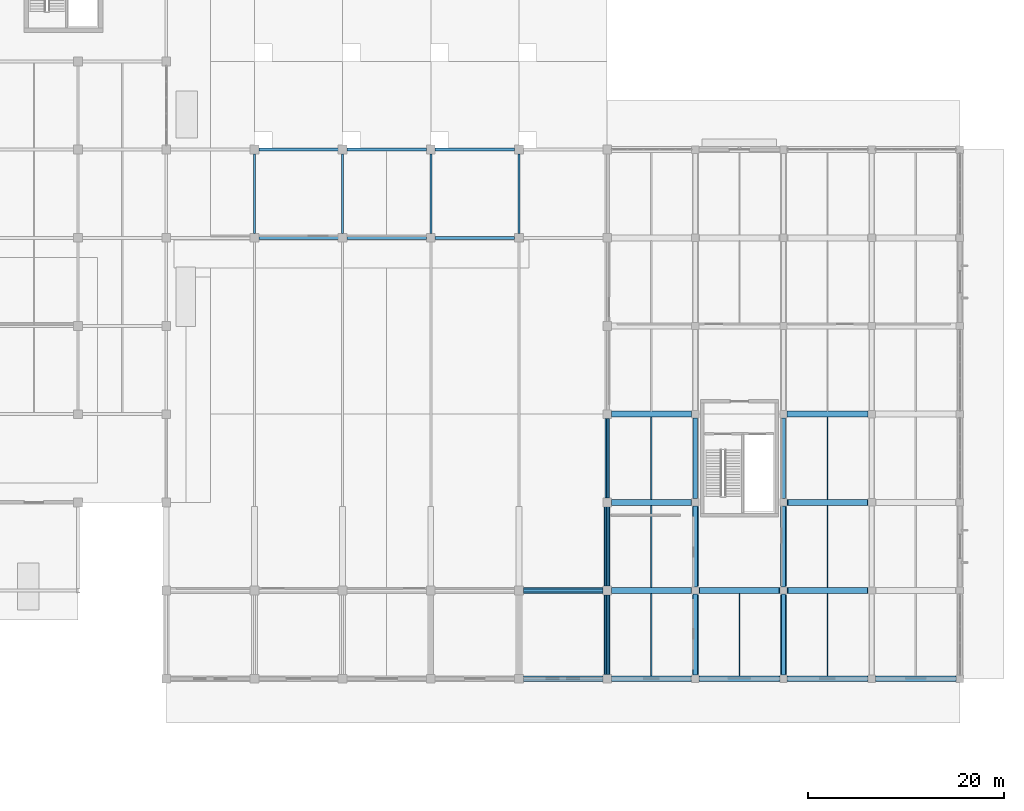
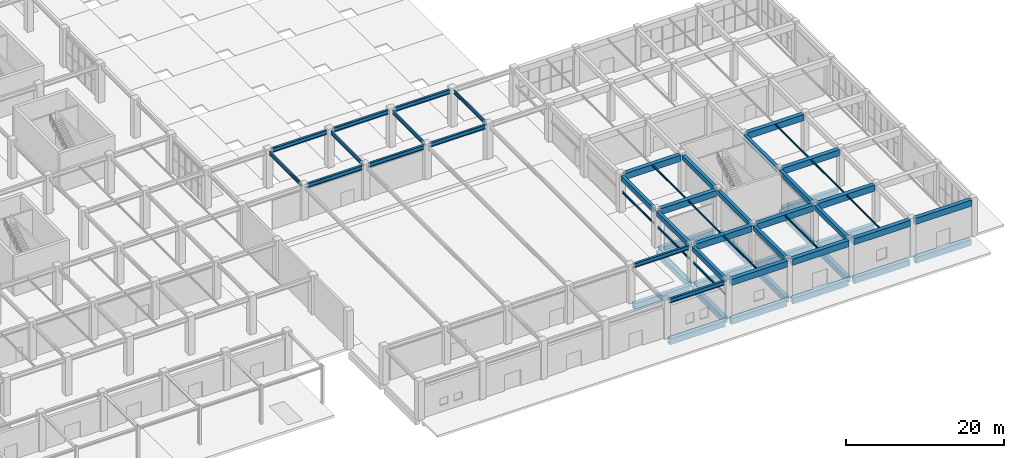
# One storey, part 11 of 91: 59 beams.
"""IFC4 building model written with IfcOpenShell, lengths in metres."""

from ifc_helpers import new_model, si_unit, direction, frame, origin, origin_2d, place, context, subcontext, project, spatial, rectangle, i_section, extrude, material, material_profile, profile_set, type_object, element, save


model = new_model("IFC4")

# Units and contexts
model_context = context("Model", 3, precision=1e-05, world=origin(), true_north=direction((0.0, 1.0)))
body_context = subcontext(model_context, "Body", "Model", "MODEL_VIEW")
ifc_project = project(units=[si_unit("LENGTHUNIT", "METRE"), si_unit("AREAUNIT", "SQUARE_METRE"), si_unit("VOLUMEUNIT", "CUBIC_METRE"), si_unit("PLANEANGLEUNIT", "RADIAN"), si_unit("MASSUNIT", "GRAM", prefix="KILO")], contexts=[model_context])

# Site, building, storey
site_placement = place(None, origin())
site = spatial("IfcSite", under=ifc_project, at=site_placement, CompositionType="ELEMENT")
building_placement = place(site_placement, origin())
building = spatial("IfcBuilding", under=site, at=building_placement, Name="Dornveld Trade and Exhibition Forum", CompositionType="ELEMENT")
storey_placement = place(building_placement, origin())
storey = spatial("IfcBuildingStorey", under=building, at=storey_placement, Name="L00", CompositionType="ELEMENT", Elevation=0.0)

# Beams
ifc_material_1 = material(Name="Concrete C40/50", Category="concrete")
ifc_material_profile_1 = material_profile(ifc_material_1, rectangle(XDim=0.60009765625, YDim=0.89990234375, at=origin_2d()), Name="RC-GB 600x900")
ifc_profile_set_1 = profile_set([ifc_material_profile_1], Name="Concrete C40/50")
beam_type_1 = type_object("IfcBeamType", Name="BM-GB-600x900", PredefinedType="BEAM", material=ifc_profile_set_1)
for number, where, z_axis, x_axis, name in (
    (1, (189.446044921875, 0.0, -0.830078125), (1.0, 0.0, 0.0), (0.0, 1.0, 0.0), "L00 X-girder 571"),
    (2, (198.446044921875, 0.0, -0.830078125), (1.0, 0.0, 0.0), (0.0, 1.0, 0.0), "L00 X-girder 572"),
    (3, (207.446044921875, 0.0, -0.830078125), (1.0, 0.0, 0.0), (0.0, 1.0, 0.0), "L00 X-girder 573"),
    (4, (216.446044921875, 0.0, -0.830078125), (1.0, 0.0, 0.0), (0.0, 1.0, 0.0), "L00 X-girder 574"),
    (5, (225.446044921875, 0.0, -0.830078125), (1.0, 0.0, 0.0), (0.0, 1.0, 0.0), "L00 X-girder 575"),
    (6, (189.446044921875, 9.0, -0.830078125), (1.0, 0.0, 0.0), (0.0, 1.0, 0.0), "L00 X-girder 580"),
    (7, (198.446044921875, 9.0, -0.830078125), (1.0, 0.0, 0.0), (0.0, 1.0, 0.0), "L00 X-girder 581"),
    (8, (207.446044921875, 9.0, -0.830078125), (1.0, 0.0, 0.0), (0.0, 1.0, 0.0), "L00 X-girder 582"),
    (9, (216.446044921875, 9.0, -0.830078125), (1.0, 0.0, 0.0), (0.0, 1.0, 0.0), "L00 X-girder 583"),
    (10, (198.446044921875, 18.0, -0.830078125), (1.0, 0.0, 0.0), (0.0, 1.0, 0.0), "L00 X-girder 590"),
    (11, (216.446044921875, 18.0, -0.830078125), (1.0, 0.0, 0.0), (0.0, 1.0, 0.0), "L00 X-girder 591"),
    (12, (198.0, 0.446044921875, -0.830078125), (0.0, 1.0, 0.0), (-1.0, 0.0, 0.0), "L00 Y-girder 631"),
    (13, (198.0, 9.446044921875, -0.830078125), (0.0, 1.0, 0.0), (-1.0, 0.0, 0.0), "L00 Y-girder 632"),
    (14, (207.0, 0.446044921875, -0.830078125), (0.0, 1.0, 0.0), (-1.0, 0.0, 0.0), "L00 Y-girder 635"),
    (15, (207.0, 9.446044921875, -0.830078125), (0.0, 1.0, 0.0), (-1.0, 0.0, 0.0), "L00 Y-girder 636"),
    (16, (216.0, 0.446044921875, -0.830078125), (0.0, 1.0, 0.0), (-1.0, 0.0, 0.0), "L00 Y-girder 639"),
    (17, (216.0, 9.446044921875, -0.830078125), (0.0, 1.0, 0.0), (-1.0, 0.0, 0.0), "L00 Y-girder 640"),
):
    element("IfcBeam", number, at=place(storey_placement, frame(where, z_axis=z_axis, x_axis=x_axis)), inside=storey, type_object=beam_type_1, Name=name, PredefinedType="BEAM", context=body_context, shape_type="SweptSolid", body=[
        extrude(rectangle(XDim=0.60009765625, YDim=0.89990234375, at=origin_2d()), origin(), (0.0, 0.0, 1.0), 8.10791015625),
    ])
ifc_material_2 = material(Name="Steel S355J2", Category="steel")
ifc_material_profile_2 = material_profile(ifc_material_2, i_section(OverallWidth=0.300048828125, OverallDepth=0.64990234375, WebThickness=0.01611328125, FlangeThickness=0.031005859375, FilletRadius=0.027099609375, at=origin_2d()), Name="HEB 650")
ifc_profile_set_2 = profile_set([ifc_material_profile_2], Name="Steel S355J2")
beam_type_2 = type_object("IfcBeamType", Name="BM-GIR-HEB650", PredefinedType="USERDEFINED", material=ifc_profile_set_2)
for number, where, z_axis, x_axis, name in (
    (18, (189.446044921875, 0.0, 5.375), (1.0, 0.0, 0.0), (0.0, 1.0, 0.0), "L00 X-girder 1025"),
    (19, (189.446044921875, 9.0, 5.375), (1.0, 0.0, 0.0), (0.0, 1.0, 0.0), "L00 X-girder 1030"),
    (20, (162.446044921875, 45.0, 5.375), (1.0, 0.0, 0.0), (0.0, 1.0, 0.0), "L00 X-girder 1032"),
    (21, (171.446044921875, 45.0, 5.375), (1.0, 0.0, 0.0), (0.0, 1.0, 0.0), "L00 X-girder 1033"),
    (22, (180.446044921875, 45.0, 5.375), (1.0, 0.0, 0.0), (0.0, 1.0, 0.0), "L00 X-girder 1034"),
    (23, (162.446044921875, 54.0, 5.375), (1.0, 0.0, 0.0), (0.0, 1.0, 0.0), "L00 X-girder 1037"),
    (24, (171.446044921875, 54.0, 5.375), (1.0, 0.0, 0.0), (0.0, 1.0, 0.0), "L00 X-girder 1038"),
    (25, (180.446044921875, 54.0, 5.375), (1.0, 0.0, 0.0), (0.0, 1.0, 0.0), "L00 X-girder 1039"),
):
    element("IfcBeam", number, at=place(storey_placement, frame(where, z_axis=z_axis, x_axis=x_axis)), inside=storey, type_object=beam_type_2, Name=name, ObjectType="GIRDER", PredefinedType="USERDEFINED", context=body_context, shape_type="SweptSolid", body=[
        extrude(i_section(OverallWidth=0.300048828125, OverallDepth=0.64990234375, WebThickness=0.01611328125, FlangeThickness=0.031005859375, FilletRadius=0.027099609375, at=origin_2d()), origin(), (0.0, 0.0, 1.0), 8.10791015625),
    ])
ifc_material_3 = material(Name="Steel S355J2", Category="steel")
ifc_material_profile_3 = material_profile(ifc_material_3, i_section(OverallWidth=0.1201171875, OverallDepth=0.239990234375, WebThickness=0.006103515625, FlangeThickness=0.009765625, FilletRadius=0.014892578125, at=origin_2d()), Name="IPE 240")
ifc_profile_set_3 = profile_set([ifc_material_profile_3], Name="Steel S355J2")
beam_type_3 = type_object("IfcBeamType", Name="BM-JOIST-240", PredefinedType="JOIST", material=ifc_profile_set_3)
for number, where, z_axis, x_axis, name in (
    (26, (202.5, 0.297119140625, 5.580078125), (0.0, 1.0, 0.0), (-1.0, 0.0, 0.0), "L00 secondary joist 934"),
    (27, (202.5, 9.297119140625, 5.580078125), (0.0, 1.0, 0.0), (-1.0, 0.0, 0.0), "L00 secondary joist 935"),
    (28, (202.5, 18.297119140625, 5.580078125), (0.0, 1.0, 0.0), (-1.0, 0.0, 0.0), "L00 secondary joist 936"),
    (29, (211.5, 0.297119140625, 5.580078125), (0.0, 1.0, 0.0), (-1.0, 0.0, 0.0), "L00 secondary joist 940"),
    (30, (220.5, 0.297119140625, 5.580078125), (0.0, 1.0, 0.0), (-1.0, 0.0, 0.0), "L00 secondary joist 943"),
    (31, (220.5, 9.297119140625, 5.580078125), (0.0, 1.0, 0.0), (-1.0, 0.0, 0.0), "L00 secondary joist 944"),
    (32, (220.5, 18.297119140625, 5.580078125), (0.0, 1.0, 0.0), (-1.0, 0.0, 0.0), "L00 secondary joist 945"),
):
    element("IfcBeam", number, at=place(storey_placement, frame(where, z_axis=z_axis, x_axis=x_axis)), inside=storey, type_object=beam_type_3, Name=name, PredefinedType="JOIST", context=body_context, shape_type="SweptSolid", body=[
        extrude(i_section(OverallWidth=0.1201171875, OverallDepth=0.239990234375, WebThickness=0.006103515625, FlangeThickness=0.009765625, FilletRadius=0.014892578125, at=origin_2d()), origin(), (0.0, 0.0, 1.0), 8.40576171875),
    ])
ifc_material_4 = material(Name="Steel S355J2", Category="steel")
ifc_material_profile_4 = material_profile(ifc_material_4, i_section(OverallWidth=0.14990234375, OverallDepth=0.300048828125, WebThickness=0.007080078125, FlangeThickness=0.0107421875, FilletRadius=0.014892578125, at=origin_2d()), Name="IPE 300")
ifc_profile_set_4 = profile_set([ifc_material_profile_4], Name="Steel S355J2")
beam_type_4 = type_object("IfcBeamType", Name="BM-LINTEL-300", PredefinedType="LINTEL", material=ifc_profile_set_4)
for number, where, z_axis, x_axis, name in (
    (33, (198.0, 0.446044921875, 3.14990234375), (0.0, 1.0, 0.0), (-1.0, 0.0, 0.0), "Arcade opening lintel 1"),
    (34, (198.0, 9.446044921875, 3.14990234375), (0.0, 1.0, 0.0), (-1.0, 0.0, 0.0), "Arcade opening lintel 2"),
    (35, (198.0, 18.446044921875, 3.14990234375), (0.0, 1.0, 0.0), (-1.0, 0.0, 0.0), "Arcade opening lintel 3"),
):
    element("IfcBeam", number, at=place(storey_placement, frame(where, z_axis=z_axis, x_axis=x_axis)), inside=storey, type_object=beam_type_4, Name=name, PredefinedType="LINTEL", context=body_context, shape_type="SweptSolid", body=[
        extrude(i_section(OverallWidth=0.14990234375, OverallDepth=0.300048828125, WebThickness=0.007080078125, FlangeThickness=0.0107421875, FilletRadius=0.014892578125, at=origin_2d()), origin(), (0.0, 0.0, 1.0), 8.10791015625),
    ])
ifc_material_5 = material(Name="Precast concrete C50/60", Category="concrete")
ifc_material_profile_5 = material_profile(ifc_material_5, rectangle(XDim=0.449951171875, YDim=0.75, at=origin_2d()), Name="PC-BM 450x750")
ifc_profile_set_5 = profile_set([ifc_material_profile_5], Name="Precast concrete C50/60")
beam_type_5 = type_object("IfcBeamType", Name="BM-PC-450x750", PredefinedType="BEAM", material=ifc_profile_set_5)
for number, where, z_axis, x_axis, name in (
    (36, (198.0, 0.446044921875, 5.324951171875), (0.0, 1.0, 0.0), (-1.0, 0.0, 0.0), "L00 Y-girder 904"),
    (37, (198.0, 9.446044921875, 5.324951171875), (0.0, 1.0, 0.0), (-1.0, 0.0, 0.0), "L00 Y-girder 905"),
    (38, (198.0, 18.446044921875, 5.324951171875), (0.0, 1.0, 0.0), (-1.0, 0.0, 0.0), "L00 Y-girder 906"),
):
    element("IfcBeam", number, at=place(storey_placement, frame(where, z_axis=z_axis, x_axis=x_axis)), inside=storey, type_object=beam_type_5, Name=name, PredefinedType="BEAM", context=body_context, shape_type="SweptSolid", body=[
        extrude(rectangle(XDim=0.449951171875, YDim=0.75, at=origin_2d()), origin(), (0.0, 0.0, 1.0), 8.10791015625),
    ])
for number, where, z_axis, x_axis, name in (
    (39, (207.0, 0.37109375, 5.324951171875), (0.0, 1.0, 0.0), (-1.0, 0.0, 0.0), "L00 Y-girder 910"),
    (40, (207.0, 9.37109375, 5.324951171875), (0.0, 1.0, 0.0), (-1.0, 0.0, 0.0), "L00 Y-girder 911"),
    (41, (207.0, 18.37109375, 5.324951171875), (0.0, 1.0, 0.0), (-1.0, 0.0, 0.0), "L00 Y-girder 912"),
    (42, (216.0, 0.37109375, 5.324951171875), (0.0, 1.0, 0.0), (-1.0, 0.0, 0.0), "L00 Y-girder 916"),
    (43, (216.0, 9.37109375, 5.324951171875), (0.0, 1.0, 0.0), (-1.0, 0.0, 0.0), "L00 Y-girder 917"),
    (44, (216.0, 18.37109375, 5.324951171875), (0.0, 1.0, 0.0), (-1.0, 0.0, 0.0), "L00 Y-girder 918"),
):
    element("IfcBeam", number, at=place(storey_placement, frame(where, z_axis=z_axis, x_axis=x_axis)), inside=storey, type_object=beam_type_5, Name=name, PredefinedType="BEAM", context=body_context, shape_type="SweptSolid", body=[
        extrude(rectangle(XDim=0.449951171875, YDim=0.75, at=origin_2d()), origin(), (0.0, 0.0, 1.0), 8.2578125),
    ])
ifc_material_6 = material(Name="Precast concrete C50/60", Category="concrete")
ifc_material_profile_6 = material_profile(ifc_material_6, rectangle(XDim=0.60009765625, YDim=0.949951171875, at=origin_2d()), Name="PC-GIR 600x950")
ifc_profile_set_6 = profile_set([ifc_material_profile_6], Name="Precast concrete C50/60")
beam_type_6 = type_object("IfcBeamType", Name="BM-PC-600x950", PredefinedType="T_BEAM", material=ifc_profile_set_6)
beam_1_placement = place(storey_placement, frame((198.446044921875, 0.0, 5.22509765625), z_axis=(1.0, 0.0, 0.0), x_axis=(0.0, 1.0, 0.0)))
element("IfcBeam", 45, at=beam_1_placement, inside=storey, type_object=beam_type_6, Name="L00 X-girder 878", PredefinedType="T_BEAM", context=body_context, shape_type="SweptSolid", body=[
    extrude(rectangle(XDim=0.60009765625, YDim=0.949951171875, at=origin_2d()), origin(), (0.0, 0.0, 1.0), 8.182861328125),
])
for number, where, z_axis, x_axis, name in (
    (46, (207.37109375, 0.0, 5.22509765625), (1.0, 0.0, 0.0), (0.0, 1.0, 0.0), "L00 X-girder 879"),
    (47, (216.37109375, 0.0, 5.22509765625), (1.0, 0.0, 0.0), (0.0, 1.0, 0.0), "L00 X-girder 880"),
    (48, (225.37109375, 0.0, 5.22509765625), (1.0, 0.0, 0.0), (0.0, 1.0, 0.0), "L00 X-girder 881"),
):
    element("IfcBeam", number, at=place(storey_placement, frame(where, z_axis=z_axis, x_axis=x_axis)), inside=storey, type_object=beam_type_6, Name=name, PredefinedType="T_BEAM", context=body_context, shape_type="SweptSolid", body=[
        extrude(rectangle(XDim=0.60009765625, YDim=0.949951171875, at=origin_2d()), origin(), (0.0, 0.0, 1.0), 8.2578125),
    ])
beam_2_placement = place(storey_placement, frame((198.446044921875, 9.0, 5.22509765625), z_axis=(1.0, 0.0, 0.0), x_axis=(0.0, 1.0, 0.0)))
element("IfcBeam", 49, at=beam_2_placement, inside=storey, type_object=beam_type_6, Name="L00 X-girder 882", PredefinedType="T_BEAM", context=body_context, shape_type="SweptSolid", body=[
    extrude(rectangle(XDim=0.60009765625, YDim=0.949951171875, at=origin_2d()), origin(), (0.0, 0.0, 1.0), 8.182861328125),
])
for number, where, z_axis, x_axis, name in (
    (50, (207.37109375, 9.0, 5.22509765625), (1.0, 0.0, 0.0), (0.0, 1.0, 0.0), "L00 X-girder 883"),
    (51, (216.37109375, 9.0, 5.22509765625), (1.0, 0.0, 0.0), (0.0, 1.0, 0.0), "L00 X-girder 884"),
):
    element("IfcBeam", number, at=place(storey_placement, frame(where, z_axis=z_axis, x_axis=x_axis)), inside=storey, type_object=beam_type_6, Name=name, PredefinedType="T_BEAM", context=body_context, shape_type="SweptSolid", body=[
        extrude(rectangle(XDim=0.60009765625, YDim=0.949951171875, at=origin_2d()), origin(), (0.0, 0.0, 1.0), 8.2578125),
    ])
beam_3_placement = place(storey_placement, frame((198.446044921875, 18.0, 5.22509765625), z_axis=(1.0, 0.0, 0.0), x_axis=(0.0, 1.0, 0.0)))
element("IfcBeam", 52, at=beam_3_placement, inside=storey, type_object=beam_type_6, Name="L00 X-girder 886", PredefinedType="T_BEAM", context=body_context, shape_type="SweptSolid", body=[
    extrude(rectangle(XDim=0.60009765625, YDim=0.949951171875, at=origin_2d()), origin(), (0.0, 0.0, 1.0), 8.182861328125),
])
beam_4_placement = place(storey_placement, frame((216.37109375, 18.0, 5.22509765625), z_axis=(1.0, 0.0, 0.0), x_axis=(0.0, 1.0, 0.0)))
element("IfcBeam", 53, at=beam_4_placement, inside=storey, type_object=beam_type_6, Name="L00 X-girder 887", PredefinedType="T_BEAM", context=body_context, shape_type="SweptSolid", body=[
    extrude(rectangle(XDim=0.60009765625, YDim=0.949951171875, at=origin_2d()), origin(), (0.0, 0.0, 1.0), 8.2578125),
])
beam_5_placement = place(storey_placement, frame((198.446044921875, 27.0, 5.22509765625), z_axis=(1.0, 0.0, 0.0), x_axis=(0.0, 1.0, 0.0)))
element("IfcBeam", 54, at=beam_5_placement, inside=storey, type_object=beam_type_6, Name="L00 X-girder 889", PredefinedType="T_BEAM", context=body_context, shape_type="SweptSolid", body=[
    extrude(rectangle(XDim=0.60009765625, YDim=0.949951171875, at=origin_2d()), origin(), (0.0, 0.0, 1.0), 8.182861328125),
])
beam_6_placement = place(storey_placement, frame((216.37109375, 27.0, 5.22509765625), z_axis=(1.0, 0.0, 0.0), x_axis=(0.0, 1.0, 0.0)))
element("IfcBeam", 55, at=beam_6_placement, inside=storey, type_object=beam_type_6, Name="L00 X-girder 890", PredefinedType="T_BEAM", context=body_context, shape_type="SweptSolid", body=[
    extrude(rectangle(XDim=0.60009765625, YDim=0.949951171875, at=origin_2d()), origin(), (0.0, 0.0, 1.0), 8.2578125),
])
ifc_material_7 = material(Name="Steel S355J2", Category="steel")
ifc_material_profile_7 = material_profile(ifc_material_7, i_section(OverallWidth=0.2099609375, OverallDepth=0.550048828125, WebThickness=0.010986328125, FlangeThickness=0.01708984375, FilletRadius=0.02392578125, at=origin_2d()), Name="IPE 550")
ifc_profile_set_7 = profile_set([ifc_material_profile_7], Name="Steel S355J2")
beam_type_7 = type_object("IfcBeamType", Name="BM-SEC-550", PredefinedType="BEAM", material=ifc_profile_set_7)
for number, where, z_axis, x_axis, name in (
    (56, (162.0, 45.446044921875, 5.425048828125), (0.0, 1.0, 0.0), (-1.0, 0.0, 0.0), "L00 Y-girder 1045"),
    (57, (171.0, 45.446044921875, 5.425048828125), (0.0, 1.0, 0.0), (-1.0, 0.0, 0.0), "L00 Y-girder 1048"),
    (58, (180.0, 45.446044921875, 5.425048828125), (0.0, 1.0, 0.0), (-1.0, 0.0, 0.0), "L00 Y-girder 1051"),
    (59, (189.0, 45.446044921875, 5.425048828125), (0.0, 1.0, 0.0), (-1.0, 0.0, 0.0), "L00 Y-girder 1054"),
):
    element("IfcBeam", number, at=place(storey_placement, frame(where, z_axis=z_axis, x_axis=x_axis)), inside=storey, type_object=beam_type_7, Name=name, PredefinedType="BEAM", context=body_context, shape_type="SweptSolid", body=[
        extrude(i_section(OverallWidth=0.2099609375, OverallDepth=0.550048828125, WebThickness=0.010986328125, FlangeThickness=0.01708984375, FilletRadius=0.02392578125, at=origin_2d()), origin(), (0.0, 0.0, 1.0), 8.10791015625),
    ])

save(model, "model.ifc")
